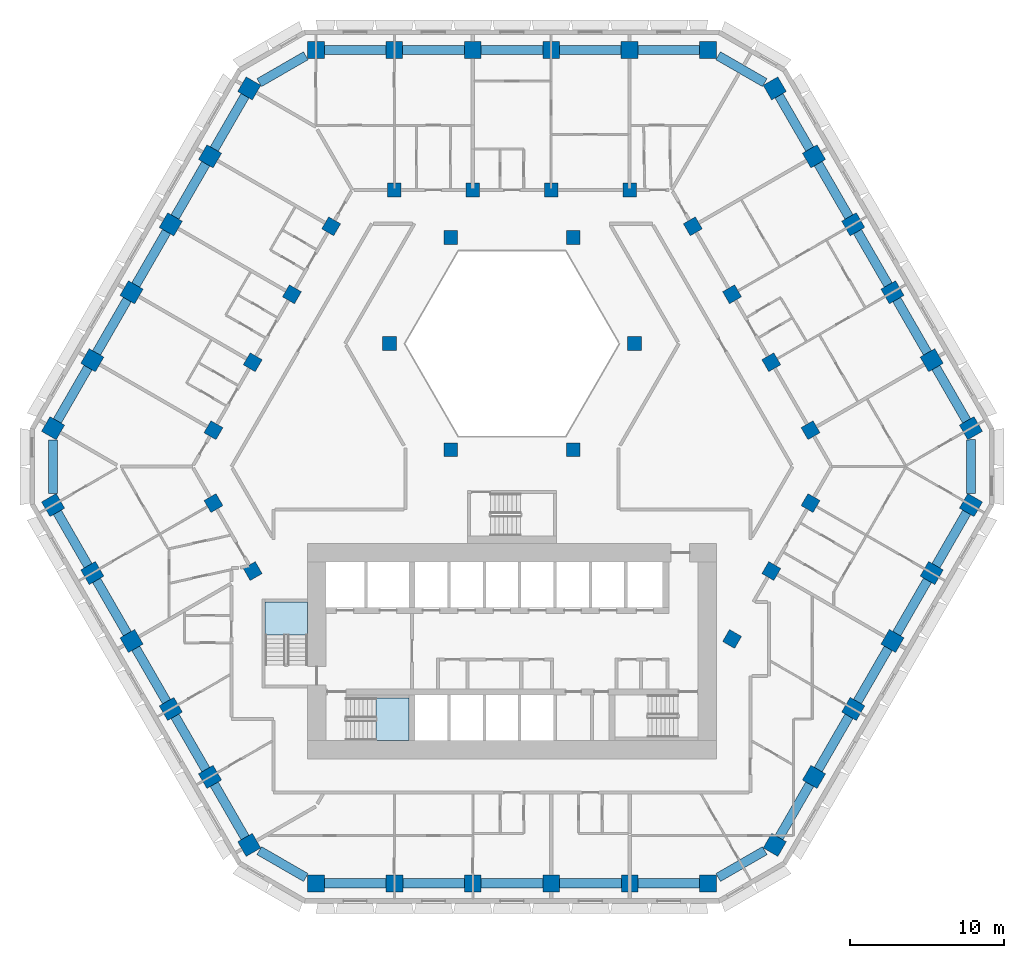
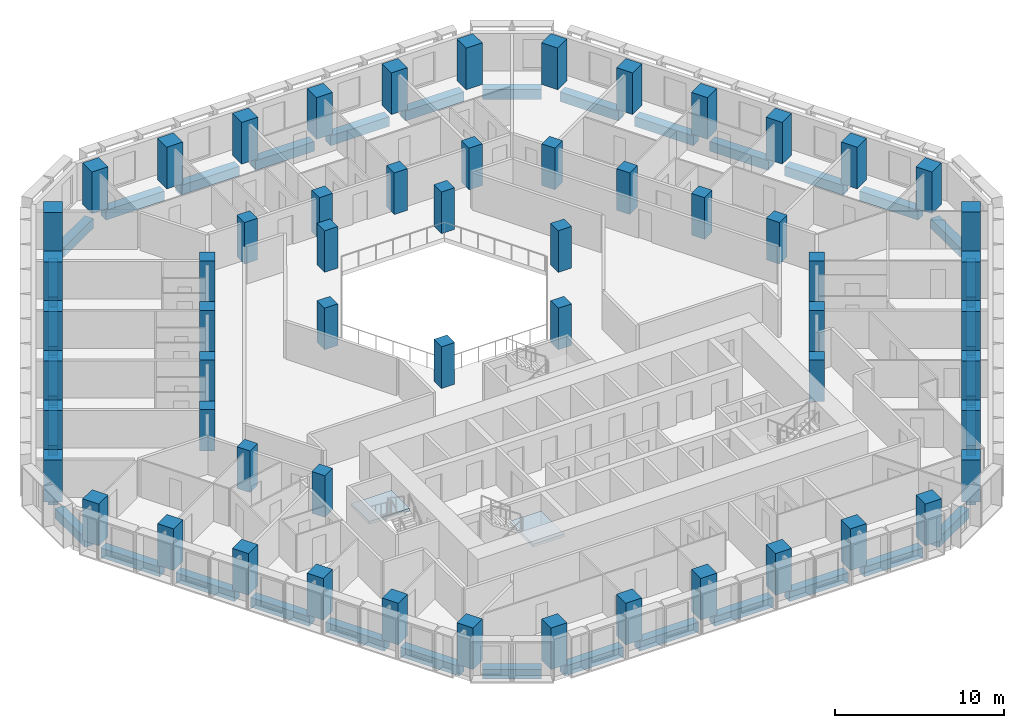
# One storey, part 1 of 16: 59 columns, 36 beams, 2 slabs, 2 elements without a shape of their own.
"""IFC4 building model written with IfcOpenShell, lengths in metres."""

from ifc_helpers import new_model, si_unit, direction, frame, origin, origin_2d, place, context, subcontext, project, spatial, polyline, rectangle, outline, extrude, material, layer, layer_set, material_profile, profile_set, type_object, element, aggregate, save


model = new_model("IFC4")

# Units and contexts
model_context = context("Model", 3, precision=1e-05, world=origin(), true_north=direction((0.0, 1.0)))
body_context = subcontext(model_context, "Body", "Model", "MODEL_VIEW")
ifc_project = project(units=[si_unit("LENGTHUNIT", "METRE"), si_unit("AREAUNIT", "SQUARE_METRE"), si_unit("VOLUMEUNIT", "CUBIC_METRE"), si_unit("PLANEANGLEUNIT", "RADIAN"), si_unit("MASSUNIT", "GRAM", prefix="KILO")], contexts=[model_context])

# Site, building, storey
site_placement = place(None, origin())
site = spatial("IfcSite", under=ifc_project, at=site_placement, CompositionType="ELEMENT")
building_placement = place(site_placement, origin())
building = spatial("IfcBuilding", under=site, at=building_placement, Name="Beryl Residences", CompositionType="ELEMENT")
storey_placement = place(building_placement, frame((0.0, 0.0, 32.39990234375)))
storey = spatial("IfcBuildingStorey", under=building, at=storey_placement, Name="L09", CompositionType="ELEMENT", Elevation=32.39990234375)

# Columns
ifc_material_1 = material(Name="Concrete C80/95", Category="concrete")
ifc_material_profile_1 = material_profile(ifc_material_1, rectangle(XDim=1.10009765625, YDim=1.10009765625, at=origin_2d()))
ifc_profile_set_1 = profile_set([ifc_material_profile_1], Name="Concrete C80/95")
column_type_1 = type_object("IfcColumnType", Name="C1 tube column 1100 x 1100 C80/95", PredefinedType="COLUMN", material=ifc_profile_set_1)
for number, where, z_axis, x_axis, name in (
    (1, (12.759033203125, 27.10009765625, 0.0), (0.0, 0.0, 1.0), (-1.0, 0.0, 0.0), "C1-N1 L09"),
    (2, (7.655029296875, 27.10009765625, 0.0), (0.0, 0.0, 1.0), (-1.0, 0.0, 0.0), "C1-N2 L09"),
    (3, (2.551025390625, 27.10009765625, 0.0), (0.0, 0.0, 1.0), (-1.0, 0.0, 0.0), "C1-N3 L09"),
    (4, (-2.552978515625, 27.10009765625, 0.0), (0.0, 0.0, 1.0), (-1.0, 0.0, 0.0), "C1-N4 L09"),
    (5, (-7.656982421875, 27.10009765625, 0.0), (0.0, 0.0, 1.0), (-1.0, 0.0, 0.0), "C1-N5 L09"),
    (6, (-12.760986328125, 27.10009765625, 0.0), (0.0, 0.0, 1.0), (-1.0, 0.0, 0.0), "C1-N6 L09"),
    (7, (-17.090087890625, 24.60009765625, 0.0), (0.0, 0.0, 1.0), (-0.499984884929, -0.866034130299, 0.0), "C1-NW1 L09"),
    (8, (-19.64208984375, 20.179931640625, 0.0), (0.0, 0.0, 1.0), (-0.499984884929, -0.866034130299, 0.0), "C1-NW2 L09"),
    (9, (-22.194091796875, 15.759033203125, 0.0), (0.0, 0.0, 1.0), (-0.499984884929, -0.866034130299, 0.0), "C1-NW3 L09"),
    (10, (-24.74609375, 11.339111328125, 0.0), (0.0, 0.0, 1.0), (-0.499984884929, -0.866034130299, 0.0), "C1-NW4 L09"),
    (11, (-27.298095703125, 6.9189453125, 0.0), (0.0, 0.0, 1.0), (-0.499984884929, -0.866034130299, 0.0), "C1-NW5 L09"),
    (12, (-29.84912109375, 2.4990234375, 0.0), (0.0, 0.0, 1.0), (-0.499984884929, -0.866034130299, 0.0), "C1-NW6 L09"),
    (13, (-29.847900390625, -2.5, 0.0), (0.0, 0.0, 1.0), (0.499984884929, -0.866034130299, 0.0), "C1-SW1 L09"),
    (14, (-27.297119140625, -6.9208984375, 0.0), (0.0, 0.0, 1.0), (0.499984884929, -0.866034130299, 0.0), "C1-SW2 L09"),
    (15, (-24.7451171875, -11.341064453125, 0.0), (0.0, 0.0, 1.0), (0.499984884929, -0.866034130299, 0.0), "C1-SW3 L09"),
    (16, (-22.193115234375, -15.760986328125, 0.0), (0.0, 0.0, 1.0), (0.499984884929, -0.866034130299, 0.0), "C1-SW4 L09"),
    (17, (-19.64111328125, -20.180908203125, 0.0), (0.0, 0.0, 1.0), (0.499984884929, -0.866034130299, 0.0), "C1-SW5 L09"),
    (18, (-17.089111328125, -24.60107421875, 0.0), (0.0, 0.0, 1.0), (0.499984884929, -0.866034130299, 0.0), "C1-SW6 L09"),
    (19, (-12.759033203125, -27.10009765625, 0.0), (0.0, 0.0, 1.0), (1.0, 0.0, 0.0), "C1-S1 L09"),
    (20, (-7.655029296875, -27.10009765625, 0.0), (0.0, 0.0, 1.0), (1.0, 0.0, 0.0), "C1-S2 L09"),
    (21, (-2.551025390625, -27.10009765625, 0.0), (0.0, 0.0, 1.0), (1.0, 0.0, 0.0), "C1-S3 L09"),
    (22, (2.552978515625, -27.10009765625, 0.0), (0.0, 0.0, 1.0), (1.0, 0.0, 0.0), "C1-S4 L09"),
    (23, (7.656982421875, -27.10009765625, 0.0), (0.0, 0.0, 1.0), (1.0, 0.0, 0.0), "C1-S5 L09"),
    (24, (12.760986328125, -27.10009765625, 0.0), (0.0, 0.0, 1.0), (1.0, 0.0, 0.0), "C1-S6 L09"),
    (25, (17.090087890625, -24.60009765625, 0.0), (0.0, 0.0, 1.0), (0.499984884929, 0.866034130299, 0.0), "C1-SE1 L09"),
    (26, (19.64208984375, -20.179931640625, 0.0), (0.0, 0.0, 1.0), (0.499984884929, 0.866034130299, 0.0), "C1-SE2 L09"),
    (27, (22.194091796875, -15.759033203125, 0.0), (0.0, 0.0, 1.0), (0.499984884929, 0.866034130299, 0.0), "C1-SE3 L09"),
    (28, (24.74609375, -11.339111328125, 0.0), (0.0, 0.0, 1.0), (0.499984884929, 0.866034130299, 0.0), "C1-SE4 L09"),
    (29, (27.298095703125, -6.9189453125, 0.0), (0.0, 0.0, 1.0), (0.499984884929, 0.866034130299, 0.0), "C1-SE5 L09"),
    (30, (29.84912109375, -2.4990234375, 0.0), (0.0, 0.0, 1.0), (0.499984884929, 0.866034130299, 0.0), "C1-SE6 L09"),
    (31, (29.847900390625, 2.5, 0.0), (0.0, 0.0, 1.0), (-0.499984884929, 0.866034130299, 0.0), "C1-NE1 L09"),
    (32, (27.297119140625, 6.9208984375, 0.0), (0.0, 0.0, 1.0), (-0.499984884929, 0.866034130299, 0.0), "C1-NE2 L09"),
    (33, (24.7451171875, 11.341064453125, 0.0), (0.0, 0.0, 1.0), (-0.499984884929, 0.866034130299, 0.0), "C1-NE3 L09"),
    (34, (22.193115234375, 15.760986328125, 0.0), (0.0, 0.0, 1.0), (-0.499984884929, 0.866034130299, 0.0), "C1-NE4 L09"),
    (35, (19.64111328125, 20.180908203125, 0.0), (0.0, 0.0, 1.0), (-0.499984884929, 0.866034130299, 0.0), "C1-NE5 L09"),
    (36, (17.089111328125, 24.60107421875, 0.0), (0.0, 0.0, 1.0), (-0.499984884929, 0.866034130299, 0.0), "C1-NE6 L09"),
):
    element("IfcColumn", number, at=place(storey_placement, frame(where, z_axis=z_axis, x_axis=x_axis)), inside=storey, type_object=column_type_1, Name=name, PredefinedType="COLUMN", context=body_context, shape_type="SweptSolid", body=[
        extrude(rectangle(XDim=1.10009765625, YDim=1.10009765625, at=origin_2d()), origin(), (0.0, 0.0, 1.0), 3.0),
    ])
ifc_material_2 = material(Name="Concrete C80/95", Category="concrete")
ifc_material_profile_2 = material_profile(ifc_material_2, rectangle(XDim=0.89990234375, YDim=0.89990234375, at=origin_2d()))
ifc_profile_set_2 = profile_set([ifc_material_profile_2], Name="Concrete C80/95")
column_type_2 = type_object("IfcColumnType", Name="IC1 interior column 900 x 900 C80/95", PredefinedType="COLUMN", material=ifc_profile_set_2)
for number, where, z_axis, x_axis, name in (
    (37, (-19.416015625, -2.37109375, 0.0), (0.0, 0.0, 1.0), (0.499984884929, -0.866034130299, 0.0), "IC1-M01 L09"),
    (38, (-16.864013671875, -6.791015625, 0.0), (0.0, 0.0, 1.0), (0.499984884929, -0.866034130299, 0.0), "IC1-M02 L09"),
    (39, (14.31298828125, -11.208984375, 0.0), (0.0, 0.0, 1.0), (0.499984884929, 0.866034130299, 0.0), "IC1-M03 L09"),
    (40, (16.864990234375, -6.7890625, 0.0), (0.0, 0.0, 1.0), (0.499984884929, 0.866034130299, 0.0), "IC1-M04 L09"),
    (41, (19.4169921875, -2.368896484375, 0.0), (0.0, 0.0, 1.0), (0.499984884929, 0.866034130299, 0.0), "IC1-M05 L09"),
    (42, (19.416015625, 2.37109375, 0.0), (0.0, 0.0, 1.0), (-0.499984884929, 0.866034130299, 0.0), "IC1-M06 L09"),
    (43, (3.98388671875, 1.10009765625, 0.0), (0.0, 0.0, 1.0), (1.0, 0.0, 0.0), "IC1-A07 L09"),
    (44, (16.864013671875, 6.791015625, 0.0), (0.0, 0.0, 1.0), (-0.499984884929, 0.866034130299, 0.0), "IC1-M08 L09"),
    (45, (14.31201171875, 11.2109375, 0.0), (0.0, 0.0, 1.0), (-0.499984884929, 0.866034130299, 0.0), "IC1-M09 L09"),
    (46, (7.967041015625, 8.0, 0.0), (0.0, 0.0, 1.0), (1.0, 0.0, 0.0), "IC1-A10 L09"),
    (47, (11.760009765625, 15.631103515625, 0.0), (0.0, 0.0, 1.0), (-0.499984884929, 0.866034130299, 0.0), "IC1-M11 L09"),
    (48, (7.655029296875, 18.0, 0.0), (0.0, 0.0, 1.0), (-1.0, 0.0, 0.0), "IC1-M12 L09"),
    (49, (3.98388671875, 14.89990234375, 0.0), (0.0, 0.0, 1.0), (1.0, 0.0, 0.0), "IC1-A13 L09"),
    (50, (2.551025390625, 18.0, 0.0), (0.0, 0.0, 1.0), (-1.0, 0.0, 0.0), "IC1-M14 L09"),
    (51, (-2.552978515625, 18.0, 0.0), (0.0, 0.0, 1.0), (-1.0, 0.0, 0.0), "IC1-M15 L09"),
    (52, (-3.98388671875, 14.89990234375, 0.0), (0.0, 0.0, 1.0), (1.0, 0.0, 0.0), "IC1-A16 L09"),
    (53, (-7.656982421875, 18.0, 0.0), (0.0, 0.0, 1.0), (-1.0, 0.0, 0.0), "IC1-M17 L09"),
    (54, (-11.760986328125, 15.6298828125, 0.0), (0.0, 0.0, 1.0), (-0.499984884929, -0.866034130299, 0.0), "IC1-M18 L09"),
    (55, (-7.967041015625, 8.0, 0.0), (0.0, 0.0, 1.0), (1.0, 0.0, 0.0), "IC1-A19 L09"),
    (56, (-14.31298828125, 11.208984375, 0.0), (0.0, 0.0, 1.0), (-0.499984884929, -0.866034130299, 0.0), "IC1-M20 L09"),
    (57, (-16.864990234375, 6.7890625, 0.0), (0.0, 0.0, 1.0), (-0.499984884929, -0.866034130299, 0.0), "IC1-M21 L09"),
    (58, (-3.98388671875, 1.10009765625, 0.0), (0.0, 0.0, 1.0), (1.0, 0.0, 0.0), "IC1-A22 L09"),
    (59, (-19.4169921875, 2.368896484375, 0.0), (0.0, 0.0, 1.0), (-0.499984884929, -0.866034130299, 0.0), "IC1-M23 L09"),
):
    element("IfcColumn", number, at=place(storey_placement, frame(where, z_axis=z_axis, x_axis=x_axis)), inside=storey, type_object=column_type_2, Name=name, PredefinedType="COLUMN", context=body_context, shape_type="SweptSolid", body=[
        extrude(rectangle(XDim=0.89990234375, YDim=0.89990234375, at=origin_2d()), origin(), (0.0, 0.0, 1.0), 3.0),
    ])

# Beams
ifc_material_3 = material(Name="Concrete C80/95", Category="concrete")
ifc_material_profile_3 = material_profile(ifc_material_3, rectangle(XDim=0.60009765625, YDim=0.699951171875, at=origin_2d()))
ifc_profile_set_3 = profile_set([ifc_material_profile_3], Name="Concrete C80/95")
beam_type = type_object("IfcBeamType", Name="SB1 spandrel beam 600 x 700 C80/95", PredefinedType="SPANDREL", material=ifc_profile_set_3)
for number, where, z_axis, x_axis, name in (
    (60, (12.208984375, 27.10009765625, -0.64990234375), (-1.0, 0.0, 0.0), (0.0, -1.0, 0.0), "SB1 L09 N-0"),
    (61, (7.10498046875, 27.10009765625, -0.64990234375), (-1.0, 0.0, 0.0), (0.0, -1.0, 0.0), "SB1 L09 N-1"),
    (62, (2.0009765625, 27.10009765625, -0.64990234375), (-1.0, 0.0, 0.0), (0.0, -1.0, 0.0), "SB1 L09 N-2"),
    (63, (-3.10302734375, 27.10009765625, -0.64990234375), (-1.0, 0.0, 0.0), (0.0, -1.0, 0.0), "SB1 L09 N-3"),
    (64, (-8.20703125, 27.10009765625, -0.64990234375), (-1.0, 0.0, 0.0), (0.0, -1.0, 0.0), "SB1 L09 N-4"),
):
    element("IfcBeam", number, at=place(storey_placement, frame(where, z_axis=z_axis, x_axis=x_axis)), inside=storey, type_object=beam_type, Name=name, PredefinedType="SPANDREL", context=body_context, shape_type="SweptSolid", body=[
        extrude(rectangle(XDim=0.60009765625, YDim=0.699951171875, at=origin_2d()), origin(), (0.0, 0.0, 1.0), 4.00390625),
    ])
beam_1_placement = place(storey_placement, frame((-13.410888671875, 26.72412109375, -0.64990234375), z_axis=(-0.866121658299, -0.499833245218, 0.0), x_axis=(0.499833245218, -0.866121658299, 0.0)))
element("IfcBeam", 65, at=beam_1_placement, inside=storey, type_object=beam_type, Name="SB1 L09 N-5", PredefinedType="SPANDREL", context=body_context, shape_type="SweptSolid", body=[
    extrude(rectangle(XDim=0.60009765625, YDim=0.699951171875, at=origin_2d()), origin(), (0.0, 0.0, 1.0), 3.497314453125),
])
beam_2_placement = place(storey_placement, frame((-17.364990234375, 24.1240234375, -0.64990234375), z_axis=(-0.499942357345, -0.866058681229, 0.0), x_axis=(0.866058681229, -0.499942357345, 0.0)))
element("IfcBeam", 66, at=beam_2_placement, inside=storey, type_object=beam_type, Name="SB1 L09 NW-0", PredefinedType="SPANDREL", context=body_context, shape_type="SweptSolid", body=[
    extrude(rectangle(XDim=0.60009765625, YDim=0.699951171875, at=origin_2d()), origin(), (0.0, 0.0, 1.0), 4.00439453125),
])
beam_3_placement = place(storey_placement, frame((-19.9169921875, 19.7041015625, -0.64990234375), z_axis=(-0.499836783367, -0.866119616446, 0.0), x_axis=(0.866119616446, -0.499836783367, 0.0)))
element("IfcBeam", 67, at=beam_3_placement, inside=storey, type_object=beam_type, Name="SB1 L09 NW-1", PredefinedType="SPANDREL", context=body_context, shape_type="SweptSolid", body=[
    extrude(rectangle(XDim=0.60009765625, YDim=0.699951171875, at=origin_2d()), origin(), (0.0, 0.0, 1.0), 4.005126953125),
])
for number, where, z_axis, x_axis, name in (
    (68, (-22.468994140625, 15.282958984375, -0.64990234375), (-0.499942357345, -0.866058681229, 0.0), (0.866058681229, -0.499942357345, 0.0), "SB1 L09 NW-2"),
    (69, (-25.02099609375, 10.863037109375, -0.64990234375), (-0.499942357345, -0.866058681229, 0.0), (0.866058681229, -0.499942357345, 0.0), "SB1 L09 NW-3"),
):
    element("IfcBeam", number, at=place(storey_placement, frame(where, z_axis=z_axis, x_axis=x_axis)), inside=storey, type_object=beam_type, Name=name, PredefinedType="SPANDREL", context=body_context, shape_type="SweptSolid", body=[
        extrude(rectangle(XDim=0.60009765625, YDim=0.699951171875, at=origin_2d()), origin(), (0.0, 0.0, 1.0), 4.00439453125),
    ])
beam_4_placement = place(storey_placement, frame((-27.572998046875, 6.443115234375, -0.64990234375), z_axis=(-0.499759404093, -0.866164267342, 0.0), x_axis=(0.866164267342, -0.499759404093, 0.0)))
element("IfcBeam", 70, at=beam_4_placement, inside=storey, type_object=beam_type, Name="SB1 L09 NW-4", PredefinedType="SPANDREL", context=body_context, shape_type="SweptSolid", body=[
    extrude(rectangle(XDim=0.60009765625, YDim=0.699951171875, at=origin_2d()), origin(), (0.0, 0.0, 1.0), 4.00390625),
])
beam_5_placement = place(storey_placement, frame((-29.84912109375, 1.748046875, -0.64990234375), z_axis=(0.000349064486, -0.999999939077, 0.0), x_axis=(0.999999939077, 0.000349064486, 0.0)))
element("IfcBeam", 71, at=beam_5_placement, inside=storey, type_object=beam_type, Name="SB1 L09 NW-5", PredefinedType="SPANDREL", context=body_context, shape_type="SweptSolid", body=[
    extrude(rectangle(XDim=0.60009765625, YDim=0.699951171875, at=origin_2d()), origin(), (0.0, 0.0, 1.0), 3.4970703125),
])
beam_6_placement = place(storey_placement, frame((-29.572998046875, -2.97607421875, -0.64990234375), z_axis=(0.499653843024, -0.866225165388, 0.0), x_axis=(0.866225165388, 0.499653843024, 0.0)))
element("IfcBeam", 72, at=beam_6_placement, inside=storey, type_object=beam_type, Name="SB1 L09 SW-0", PredefinedType="SPANDREL", context=body_context, shape_type="SweptSolid", body=[
    extrude(rectangle(XDim=0.60009765625, YDim=0.699951171875, at=origin_2d()), origin(), (0.0, 0.0, 1.0), 4.004638671875),
])
for number, where, z_axis, x_axis, name in (
    (73, (-27.02197265625, -7.39697265625, -0.64990234375), (0.499942357345, -0.866058681229, 0.0), (0.866058681229, 0.499942357345, 0.0), "SB1 L09 SW-1"),
    (74, (-24.469970703125, -11.81689453125, -0.64990234375), (0.499942357345, -0.866058681229, 0.0), (0.866058681229, 0.499942357345, 0.0), "SB1 L09 SW-2"),
    (75, (-21.91796875, -16.237060546875, -0.64990234375), (0.499942357345, -0.866058681229, 0.0), (0.866058681229, 0.499942357345, 0.0), "SB1 L09 SW-3"),
    (76, (-19.365966796875, -20.656982421875, -0.64990234375), (0.499942357345, -0.866058681229, 0.0), (0.866058681229, 0.499942357345, 0.0), "SB1 L09 SW-4"),
):
    element("IfcBeam", number, at=place(storey_placement, frame(where, z_axis=z_axis, x_axis=x_axis)), inside=storey, type_object=beam_type, Name=name, PredefinedType="SPANDREL", context=body_context, shape_type="SweptSolid", body=[
        extrude(rectangle(XDim=0.60009765625, YDim=0.699951171875, at=origin_2d()), origin(), (0.0, 0.0, 1.0), 4.00439453125),
    ])
beam_7_placement = place(storey_placement, frame((-16.43896484375, -24.97607421875, -0.64990234375), z_axis=(0.866070549782, -0.499921796684, 0.0), x_axis=(0.499921796684, 0.866070549782, 0.0)))
element("IfcBeam", 77, at=beam_7_placement, inside=storey, type_object=beam_type, Name="SB1 L09 SW-5", PredefinedType="SPANDREL", context=body_context, shape_type="SweptSolid", body=[
    extrude(rectangle(XDim=0.60009765625, YDim=0.699951171875, at=origin_2d()), origin(), (0.0, 0.0, 1.0), 3.49853515625),
])
for number, where, z_axis, x_axis, name in (
    (78, (-12.208984375, -27.10009765625, -0.64990234375), (1.0, 0.0, 0.0), (0.0, 1.0, 0.0), "SB1 L09 S-0"),
    (79, (-7.10498046875, -27.10009765625, -0.64990234375), (1.0, 0.0, 0.0), (0.0, 1.0, 0.0), "SB1 L09 S-1"),
    (80, (-2.0009765625, -27.10009765625, -0.64990234375), (1.0, 0.0, 0.0), (0.0, 1.0, 0.0), "SB1 L09 S-2"),
    (81, (3.10302734375, -27.10009765625, -0.64990234375), (1.0, 0.0, 0.0), (0.0, 1.0, 0.0), "SB1 L09 S-3"),
    (82, (8.20703125, -27.10009765625, -0.64990234375), (1.0, 0.0, 0.0), (0.0, 1.0, 0.0), "SB1 L09 S-4"),
):
    element("IfcBeam", number, at=place(storey_placement, frame(where, z_axis=z_axis, x_axis=x_axis)), inside=storey, type_object=beam_type, Name=name, PredefinedType="SPANDREL", context=body_context, shape_type="SweptSolid", body=[
        extrude(rectangle(XDim=0.60009765625, YDim=0.699951171875, at=origin_2d()), origin(), (0.0, 0.0, 1.0), 4.00390625),
    ])
beam_8_placement = place(storey_placement, frame((13.410888671875, -26.72412109375, -0.64990234375), z_axis=(0.866121658299, 0.499833245218, 0.0), x_axis=(-0.499833245218, 0.866121658299, 0.0)))
element("IfcBeam", 83, at=beam_8_placement, inside=storey, type_object=beam_type, Name="SB1 L09 S-5", PredefinedType="SPANDREL", context=body_context, shape_type="SweptSolid", body=[
    extrude(rectangle(XDim=0.60009765625, YDim=0.699951171875, at=origin_2d()), origin(), (0.0, 0.0, 1.0), 3.497314453125),
])
beam_9_placement = place(storey_placement, frame((17.364990234375, -24.1240234375, -0.64990234375), z_axis=(0.499942357345, 0.866058681229, 0.0), x_axis=(-0.866058681229, 0.499942357345, 0.0)))
element("IfcBeam", 84, at=beam_9_placement, inside=storey, type_object=beam_type, Name="SB1 L09 SE-0", PredefinedType="SPANDREL", context=body_context, shape_type="SweptSolid", body=[
    extrude(rectangle(XDim=0.60009765625, YDim=0.699951171875, at=origin_2d()), origin(), (0.0, 0.0, 1.0), 4.00439453125),
])
beam_10_placement = place(storey_placement, frame((19.9169921875, -19.7041015625, -0.64990234375), z_axis=(0.499836783367, 0.866119616446, 0.0), x_axis=(-0.866119616446, 0.499836783367, 0.0)))
element("IfcBeam", 85, at=beam_10_placement, inside=storey, type_object=beam_type, Name="SB1 L09 SE-1", PredefinedType="SPANDREL", context=body_context, shape_type="SweptSolid", body=[
    extrude(rectangle(XDim=0.60009765625, YDim=0.699951171875, at=origin_2d()), origin(), (0.0, 0.0, 1.0), 4.005126953125),
])
for number, where, z_axis, x_axis, name in (
    (86, (22.468994140625, -15.282958984375, -0.64990234375), (0.499942357345, 0.866058681229, 0.0), (-0.866058681229, 0.499942357345, 0.0), "SB1 L09 SE-2"),
    (87, (25.02099609375, -10.863037109375, -0.64990234375), (0.499942357345, 0.866058681229, 0.0), (-0.866058681229, 0.499942357345, 0.0), "SB1 L09 SE-3"),
):
    element("IfcBeam", number, at=place(storey_placement, frame(where, z_axis=z_axis, x_axis=x_axis)), inside=storey, type_object=beam_type, Name=name, PredefinedType="SPANDREL", context=body_context, shape_type="SweptSolid", body=[
        extrude(rectangle(XDim=0.60009765625, YDim=0.699951171875, at=origin_2d()), origin(), (0.0, 0.0, 1.0), 4.00439453125),
    ])
beam_11_placement = place(storey_placement, frame((27.572998046875, -6.443115234375, -0.64990234375), z_axis=(0.499759404093, 0.866164267342, 0.0), x_axis=(-0.866164267342, 0.499759404093, 0.0)))
element("IfcBeam", 88, at=beam_11_placement, inside=storey, type_object=beam_type, Name="SB1 L09 SE-4", PredefinedType="SPANDREL", context=body_context, shape_type="SweptSolid", body=[
    extrude(rectangle(XDim=0.60009765625, YDim=0.699951171875, at=origin_2d()), origin(), (0.0, 0.0, 1.0), 4.00390625),
])
beam_12_placement = place(storey_placement, frame((29.84912109375, -1.748046875, -0.64990234375), z_axis=(-0.000349064486, 0.999999939077, 0.0), x_axis=(-0.999999939077, -0.000349064486, 0.0)))
element("IfcBeam", 89, at=beam_12_placement, inside=storey, type_object=beam_type, Name="SB1 L09 SE-5", PredefinedType="SPANDREL", context=body_context, shape_type="SweptSolid", body=[
    extrude(rectangle(XDim=0.60009765625, YDim=0.699951171875, at=origin_2d()), origin(), (0.0, 0.0, 1.0), 3.4970703125),
])
beam_13_placement = place(storey_placement, frame((29.572998046875, 2.97607421875, -0.64990234375), z_axis=(-0.499653843024, 0.866225165388, 0.0), x_axis=(-0.866225165388, -0.499653843024, 0.0)))
element("IfcBeam", 90, at=beam_13_placement, inside=storey, type_object=beam_type, Name="SB1 L09 NE-0", PredefinedType="SPANDREL", context=body_context, shape_type="SweptSolid", body=[
    extrude(rectangle(XDim=0.60009765625, YDim=0.699951171875, at=origin_2d()), origin(), (0.0, 0.0, 1.0), 4.004638671875),
])
for number, where, z_axis, x_axis, name in (
    (91, (27.02197265625, 7.39697265625, -0.64990234375), (-0.499942357345, 0.866058681229, 0.0), (-0.866058681229, -0.499942357345, 0.0), "SB1 L09 NE-1"),
    (92, (24.469970703125, 11.81689453125, -0.64990234375), (-0.499942357345, 0.866058681229, 0.0), (-0.866058681229, -0.499942357345, 0.0), "SB1 L09 NE-2"),
    (93, (21.91796875, 16.237060546875, -0.64990234375), (-0.499942357345, 0.866058681229, 0.0), (-0.866058681229, -0.499942357345, 0.0), "SB1 L09 NE-3"),
    (94, (19.365966796875, 20.656982421875, -0.64990234375), (-0.499942357345, 0.866058681229, 0.0), (-0.866058681229, -0.499942357345, 0.0), "SB1 L09 NE-4"),
):
    element("IfcBeam", number, at=place(storey_placement, frame(where, z_axis=z_axis, x_axis=x_axis)), inside=storey, type_object=beam_type, Name=name, PredefinedType="SPANDREL", context=body_context, shape_type="SweptSolid", body=[
        extrude(rectangle(XDim=0.60009765625, YDim=0.699951171875, at=origin_2d()), origin(), (0.0, 0.0, 1.0), 4.00439453125),
    ])
beam_14_placement = place(storey_placement, frame((16.43896484375, 24.97607421875, -0.64990234375), z_axis=(-0.866070549782, 0.499921796684, 0.0), x_axis=(-0.499921796684, -0.866070549782, 0.0)))
element("IfcBeam", 95, at=beam_14_placement, inside=storey, type_object=beam_type, Name="SB1 L09 NE-5", PredefinedType="SPANDREL", context=body_context, shape_type="SweptSolid", body=[
    extrude(rectangle(XDim=0.60009765625, YDim=0.699951171875, at=origin_2d()), origin(), (0.0, 0.0, 1.0), 3.49853515625),
])

# Stair, slab
ifc_material_4 = material(Name="Concrete C40/50", Category="concrete")
stair_type = type_object("IfcStairType", Name="ST1 protected exit stair, half-turn, 1300 mm flights", PredefinedType="HALF_TURN_STAIR", material=ifc_material_4)
stair_1_placement = place(storey_placement, origin())
stair_1 = element("IfcStair", 96, at=stair_1_placement, inside=storey, type_object=stair_type, Name="L09 PROTECTED EXIT STAIR ST-1", PredefinedType="HALF_TURN_STAIR")
ifc_material_5 = material(Name="Concrete C40/50", Category="concrete")
ifc_layer = layer(ifc_material_5, 0.199951171875)
ifc_layer_set = layer_set([ifc_layer], Name="SLD1 stair landing 200 mm")
slab_type = type_object("IfcSlabType", Name="SLD1 stair landing 200 mm", PredefinedType="LANDING", material=ifc_layer_set)
slab_1_placement = place(storey_placement, frame((0.0, 0.0, 1.300048828125)))
slab_1 = element("IfcSlab", 97, at=slab_1_placement, type_object=slab_type, Name="ST-1 landing 1", PredefinedType="LANDING", context=body_context, shape_type="SweptSolid", body=[
    extrude(outline(polyline([(-8.840087890625, -17.800048828125), (-6.699951171875, -17.800048828125), (-6.699951171875, -15.050048828125), (-8.840087890625, -15.050048828125), (-8.840087890625, -17.800048828125)])), origin(), (0.0, 0.0, 1.0), 0.199951171875),
])
aggregate(stair_1, [slab_1])

stair_2_placement = place(storey_placement, origin())
stair_2 = element("IfcStair", 98, at=stair_2_placement, inside=storey, type_object=stair_type, Name="L09 PROTECTED EXIT STAIR ST-2", PredefinedType="HALF_TURN_STAIR")
slab_2_placement = place(storey_placement, frame((0.0, 0.0, 1.300048828125)))
slab_2 = element("IfcSlab", 99, at=slab_2_placement, type_object=slab_type, Name="ST-2 landing 1", PredefinedType="LANDING", context=body_context, shape_type="SweptSolid", body=[
    extrude(outline(polyline([(-13.300048828125, -10.93994140625), (-13.300048828125, -8.800048828125), (-16.050048828125, -8.800048828125), (-16.050048828125, -10.93994140625), (-13.300048828125, -10.93994140625)])), origin(), (0.0, 0.0, 1.0), 0.199951171875),
])
aggregate(stair_2, [slab_2])

save(model, "model.ifc")
